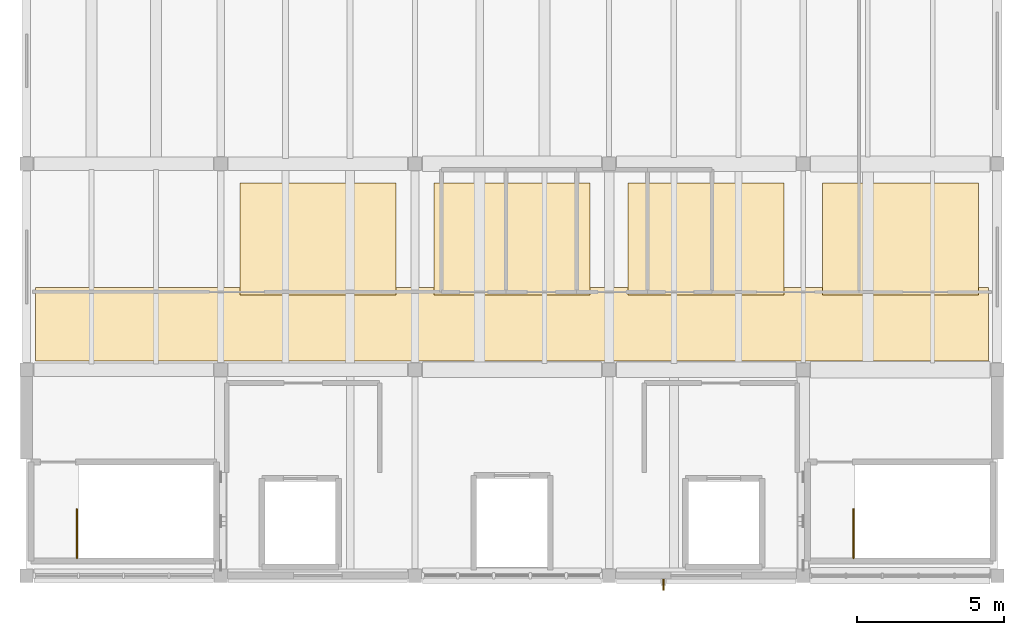
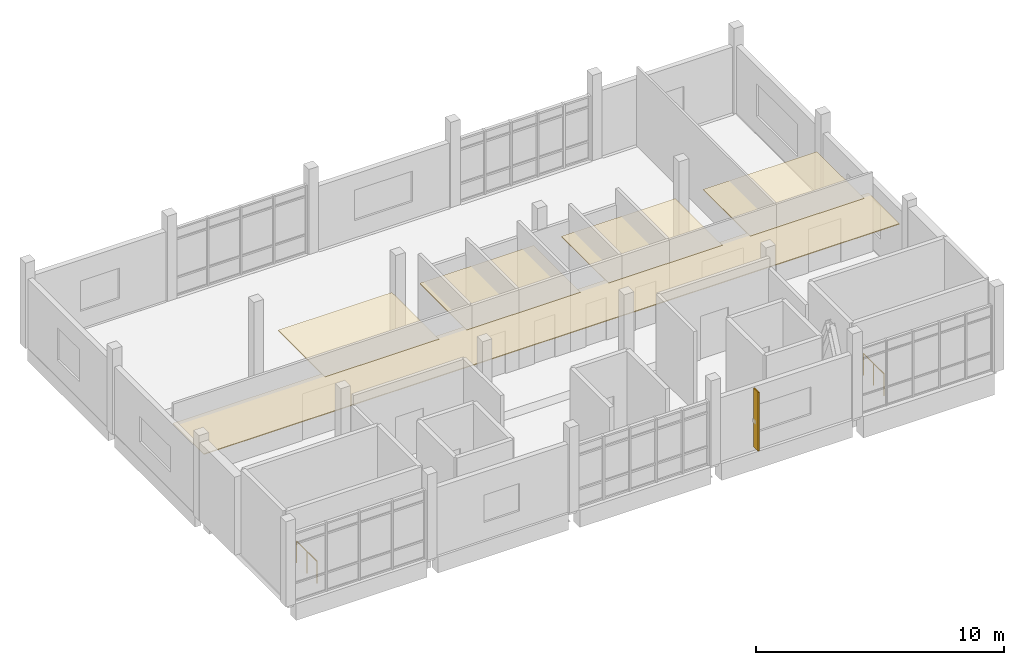
# One storey, part 10 of 10: 5 coverings, 2 railings, 1 shading device.
"""IFC4 building model written with IfcOpenShell, lengths in metres."""

from ifc_helpers import new_model, si_unit, direction, frame, origin, origin_2d, place, context, subcontext, project, spatial, polyline, rectangle, circle, outline, extrude, material, layer, layer_set, material_profile, profile_set, type_object, element, save


model = new_model("IFC4")

# Units and contexts
model_context = context("Model", 3, precision=1e-05, world=origin(), true_north=direction((0.0, 1.0)))
body_context = subcontext(model_context, "Body", "Model", "MODEL_VIEW")
ifc_project = project(units=[si_unit("LENGTHUNIT", "METRE"), si_unit("AREAUNIT", "SQUARE_METRE"), si_unit("VOLUMEUNIT", "CUBIC_METRE"), si_unit("PLANEANGLEUNIT", "RADIAN"), si_unit("MASSUNIT", "GRAM", prefix="KILO")], contexts=[model_context])

# Site, building, storey
site_placement = place(None, origin())
site = spatial("IfcSite", under=ifc_project, at=site_placement, CompositionType="ELEMENT")
building_placement = place(site_placement, origin())
building = spatial("IfcBuilding", under=site, at=building_placement, Name="Ciguamira Faculty of Natural Sciences", CompositionType="ELEMENT")
storey_placement = place(building_placement, frame((0.0, 0.0, 46.199951171875)))
storey = spatial("IfcBuildingStorey", under=building, at=storey_placement, Name="L11", CompositionType="ELEMENT", Elevation=46.199951171875)

# Coverings
ifc_material_1 = material(Name="Perforated white acoustic ceiling")
ifc_layer = layer(ifc_material_1, 0.0400390625, Name="Perforated white acoustic ceiling")
ifc_layer_set = layer_set([ifc_layer], Name="Perforated white acoustic ceiling")
covering_type = type_object("IfcCoveringType", Name="AcousticCeiling_AC01", PredefinedType="CEILING", material=ifc_layer_set)
covering_1_placement = place(storey_placement, frame((0.0, 0.0, 2.760009765625)))
element("IfcCovering", 1, at=covering_1_placement, inside=storey, type_object=covering_type, Name="L11 corridor acoustic ceiling", PredefinedType="CEILING", context=body_context, shape_type="SweptSolid", body=[
    extrude(outline(polyline([(70.800048828125, 101.300048828125), (103.199951171875, 101.300048828125), (103.199951171875, 103.800048828125), (70.800048828125, 103.800048828125), (70.800048828125, 101.300048828125)])), origin(), (0.0, 0.0, 1.0), 0.0400390625),
])
covering_2_placement = place(storey_placement, frame((0.0, 0.0, 2.760009765625)))
element("IfcCovering", 2, at=covering_2_placement, inside=storey, type_object=covering_type, Name="L11 research bay 01 acoustic ceiling", PredefinedType="CEILING", context=body_context, shape_type="SweptSolid", body=[
    extrude(outline(polyline([(77.75, 103.550048828125), (83.050048828125, 103.550048828125), (83.050048828125, 107.35009765625), (77.75, 107.35009765625), (77.75, 103.550048828125)])), origin(), (0.0, 0.0, 1.0), 0.0400390625),
])
covering_3_placement = place(storey_placement, frame((0.0, 0.0, 2.760009765625)))
element("IfcCovering", 3, at=covering_3_placement, inside=storey, type_object=covering_type, Name="L11 research bay 02 acoustic ceiling", PredefinedType="CEILING", context=body_context, shape_type="SweptSolid", body=[
    extrude(outline(polyline([(84.35009765625, 103.550048828125), (89.64990234375, 103.550048828125), (89.64990234375, 107.35009765625), (84.35009765625, 107.35009765625), (84.35009765625, 103.550048828125)])), origin(), (0.0, 0.0, 1.0), 0.0400390625),
])
covering_4_placement = place(storey_placement, frame((0.0, 0.0, 2.760009765625)))
element("IfcCovering", 4, at=covering_4_placement, inside=storey, type_object=covering_type, Name="L11 research bay 03 acoustic ceiling", PredefinedType="CEILING", context=body_context, shape_type="SweptSolid", body=[
    extrude(outline(polyline([(90.949951171875, 103.550048828125), (96.25, 103.550048828125), (96.25, 107.35009765625), (90.949951171875, 107.35009765625), (90.949951171875, 103.550048828125)])), origin(), (0.0, 0.0, 1.0), 0.0400390625),
])
covering_5_placement = place(storey_placement, frame((0.0, 0.0, 2.760009765625)))
element("IfcCovering", 5, at=covering_5_placement, inside=storey, type_object=covering_type, Name="L11 research bay 04 acoustic ceiling", PredefinedType="CEILING", context=body_context, shape_type="SweptSolid", body=[
    extrude(outline(polyline([(97.550048828125, 103.550048828125), (102.85009765625, 103.550048828125), (102.85009765625, 107.35009765625), (97.550048828125, 107.35009765625), (97.550048828125, 103.550048828125)])), origin(), (0.0, 0.0, 1.0), 0.0400390625),
])

# Railings
ifc_material_2 = material(Name="Stainless steel balustrade", Category="steel")
railing_type = type_object("IfcRailingType", Name="Guardrail_GR01", PredefinedType="GUARDRAIL", material=ifc_material_2)
for number, where, name in (
    (6, (72.2099609375, 94.60009765625, 0.0), "L11 ST-T1 top well guard 1"),
    (7, (98.610107421875, 94.60009765625, 0.0), "L11 ST-T2 top well guard 1"),
):
    element("IfcRailing", number, at=place(storey_placement, frame(where)), inside=storey, type_object=railing_type, Name=name, PredefinedType="GUARDRAIL", context=body_context, shape_type="SweptSolid", body=[
        extrude(circle(Radius=0.02392578125, at=origin_2d()), frame((0.0, 0.0, 1.076171875), z_axis=(0.0, 1.0, 0.0), x_axis=(-1.0, 0.0, 0.0)), (0.0, 0.0, 1.0), 1.659912109375),
        extrude(circle(Radius=0.02099609375, at=origin_2d()), origin(), (0.0, 0.0, 1.0), 1.052001953125),
        extrude(circle(Radius=0.02099609375, at=origin_2d()), frame((0.0, 0.830078125, 0.0)), (0.0, 0.0, 1.0), 1.052001953125),
        extrude(circle(Radius=0.02099609375, at=origin_2d()), frame((0.0, 1.659912109375, 0.0)), (0.0, 0.0, 1.0), 1.052001953125),
    ])

# Shading device
ifc_material_3 = material(Name="Anodized bronze sunshade fin")
ifc_material_profile = material_profile(ifc_material_3, rectangle(XDim=0.06494140625, YDim=0.3798828125, at=origin_2d()), Name="BRZ-FIN-65X380")
ifc_profile_set = profile_set([ifc_material_profile], Name="Anodized bronze sunshade fin")
shading_device_type = type_object("IfcShadingDeviceType", Name="SunFin_SF01", PredefinedType="USERDEFINED", material=ifc_profile_set)
shading_device_placement = place(storey_placement, frame((92.14990234375, 93.68994140625, 0.199951171875), z_axis=(0.0, 0.0, 1.0), x_axis=(1.0, 0.0, 0.0)))
element("IfcShadingDevice", 8, at=shading_device_placement, inside=storey, type_object=shading_device_type, Name="L11 bronze vertical sunshade fin 0040", ObjectType="SUNSHADE FIN", PredefinedType="USERDEFINED", context=body_context, shape_type="SweptSolid", body=[
    extrude(rectangle(XDim=0.06494140625, YDim=0.3798828125, at=origin_2d()), origin(), (0.0, 0.0, 1.0), 2.885009765625),
])

save(model, "model.ifc")
